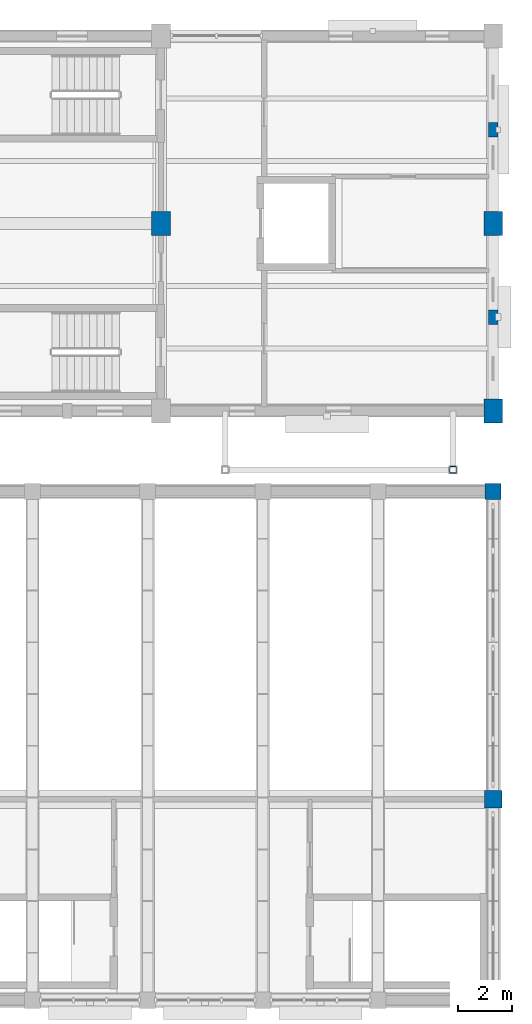
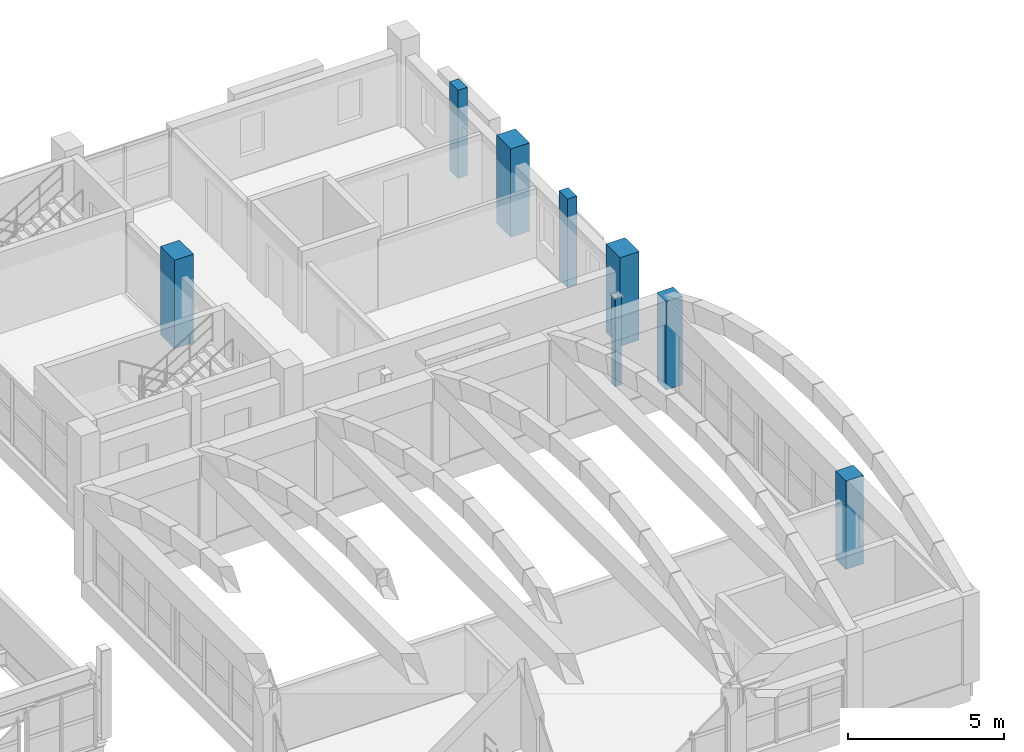
# One storey, part 8 of 77: 8 columns.
"""IFC4 building model written with IfcOpenShell, lengths in metres."""

from ifc_helpers import new_model, si_unit, direction, frame, origin, origin_2d, place, context, subcontext, project, spatial, rectangle, hollow_rectangle, extrude, material, material_profile, profile_set, type_object, element, save


model = new_model("IFC4")

# Units and contexts
model_context = context("Model", 3, precision=1e-05, world=origin(), true_north=direction((0.0, 1.0)))
body_context = subcontext(model_context, "Body", "Model", "MODEL_VIEW")
ifc_project = project(units=[si_unit("LENGTHUNIT", "METRE"), si_unit("AREAUNIT", "SQUARE_METRE"), si_unit("VOLUMEUNIT", "CUBIC_METRE"), si_unit("PLANEANGLEUNIT", "RADIAN"), si_unit("MASSUNIT", "GRAM", prefix="KILO")], contexts=[model_context])

# Site, building, storey
site_placement = place(None, origin())
site = spatial("IfcSite", under=ifc_project, at=site_placement, CompositionType="ELEMENT")
building_placement = place(site_placement, origin())
building = spatial("IfcBuilding", under=site, at=building_placement, Name="Trellovar Central Fire Station", CompositionType="ELEMENT")
storey_placement = place(building_placement, frame((0.0, 0.0, 5.85009765625)))
storey = spatial("IfcBuildingStorey", under=building, at=storey_placement, Name="L02", CompositionType="ELEMENT", Elevation=5.85009765625)

# Columns
ifc_material_1 = material(Name="Concrete C40/50", Category="concrete")
ifc_material_profile_1 = material_profile(ifc_material_1, rectangle(XDim=0.699951171875, YDim=0.89990234375, at=origin_2d()), Name="RC700X900")
ifc_profile_set_1 = profile_set([ifc_material_profile_1], Name="Concrete C40/50")
column_type_1 = type_object("IfcColumnType", Name="COL-C3", PredefinedType="COLUMN", material=ifc_profile_set_1)
for number, where, z_axis, x_axis, name in (
    (1, (148.60009765625, 66.0, 0.0), (0.0, 0.0, 1.0), (1.0, 0.0, 0.0), "L02 column C-3"),
    (2, (161.0, 59.0, 0.0), (0.0, 0.0, 1.0), (1.0, 0.0, 0.0), "L02 column C-3"),
    (3, (161.0, 66.0, 0.0), (0.0, 0.0, 1.0), (1.0, 0.0, 0.0), "L02 column C-3"),
):
    element("IfcColumn", number, at=place(storey_placement, frame(where, z_axis=z_axis, x_axis=x_axis)), inside=storey, type_object=column_type_1, Name=name, PredefinedType="COLUMN", context=body_context, shape_type="SweptSolid", body=[
        extrude(rectangle(XDim=0.699951171875, YDim=0.89990234375, at=origin_2d()), origin(), (0.0, 0.0, 1.0), 3.449951171875),
    ])
ifc_material_2 = material(Name="Concrete C40/50", Category="concrete")
ifc_material_profile_2 = material_profile(ifc_material_2, rectangle(XDim=0.64990234375, YDim=0.64990234375, at=origin_2d()), Name="RC650X650")
ifc_profile_set_2 = profile_set([ifc_material_profile_2], Name="Concrete C40/50")
column_type_2 = type_object("IfcColumnType", Name="COL-C5", PredefinedType="COLUMN", material=ifc_profile_set_2)
column_1_placement = place(storey_placement, frame((161.0, 44.5, 0.0), z_axis=(0.0, 0.0, 1.0), x_axis=(1.0, 0.0, 0.0)))
element("IfcColumn", 4, at=column_1_placement, inside=storey, type_object=column_type_2, Name="L02 column C-5", PredefinedType="COLUMN", context=body_context, shape_type="SweptSolid", body=[
    extrude(rectangle(XDim=0.64990234375, YDim=0.64990234375, at=origin_2d()), origin(), (0.0, 0.0, 1.0), 3.449951171875),
])
ifc_material_3 = material(Name="Concrete C40/50", Category="concrete")
ifc_material_profile_3 = material_profile(ifc_material_3, rectangle(XDim=0.60009765625, YDim=0.60009765625, at=origin_2d()), Name="RC600X600")
ifc_profile_set_3 = profile_set([ifc_material_profile_3], Name="Concrete C40/50")
column_type_3 = type_object("IfcColumnType", Name="COL-C6", PredefinedType="COLUMN", material=ifc_profile_set_3)
column_2_placement = place(storey_placement, frame((161.0, 56.0, 0.0), z_axis=(0.0, 0.0, 1.0), x_axis=(1.0, 0.0, 0.0)))
element("IfcColumn", 5, at=column_2_placement, inside=storey, type_object=column_type_3, Name="L02 column C-6", PredefinedType="COLUMN", context=body_context, shape_type="SweptSolid", body=[
    extrude(rectangle(XDim=0.60009765625, YDim=0.60009765625, at=origin_2d()), origin(), (0.0, 0.0, 1.0), 3.449951171875),
])
ifc_material_4 = material(Name="Concrete C40/50", Category="concrete")
ifc_material_profile_4 = material_profile(ifc_material_4, rectangle(XDim=0.35009765625, YDim=0.550048828125, at=origin_2d()), Name="RC350X550")
ifc_profile_set_4 = profile_set([ifc_material_profile_4], Name="Concrete C40/50")
column_type_4 = type_object("IfcColumnType", Name="COL-PIL2", PredefinedType="PILASTER", material=ifc_profile_set_4)
for number, where, z_axis, x_axis, name in (
    (6, (161.0, 62.5, 0.0), (0.0, 0.0, 1.0), (1.0, 0.0, 0.0), "V2 drill tower vertical buttress fin L02-2"),
    (7, (161.0, 69.5, 0.0), (0.0, 0.0, 1.0), (1.0, 0.0, 0.0), "V2 drill tower vertical buttress fin L02-3"),
):
    element("IfcColumn", number, at=place(storey_placement, frame(where, z_axis=z_axis, x_axis=x_axis)), inside=storey, type_object=column_type_4, Name=name, PredefinedType="PILASTER", context=body_context, shape_type="SweptSolid", body=[
        extrude(rectangle(XDim=0.35009765625, YDim=0.550048828125, at=origin_2d()), origin(), (0.0, 0.0, 1.0), 3.449951171875),
    ])
ifc_material_5 = material(Name="Steel ASTM A500 Grade C", Category="steel")
ifc_material_profile_5 = material_profile(ifc_material_5, hollow_rectangle(XDim=0.25390625, YDim=0.25390625, WallThickness=0.01171875, InnerFilletRadius=0.01171875, OuterFilletRadius=0.023681640625, at=origin_2d()), Name="HSS10X10X1/2")
ifc_profile_set_5 = profile_set([ifc_material_profile_5], Name="Steel ASTM A500 Grade C")
column_type_5 = type_object("IfcColumnType", Name="COL-SC4", PredefinedType="COLUMN", material=ifc_profile_set_5)
column_3_placement = place(storey_placement, frame((159.5, 56.800048828125, 0.0), z_axis=(0.0, 0.0, 1.0), x_axis=(1.0, 0.0, 0.0)))
element("IfcColumn", 8, at=column_3_placement, inside=storey, type_object=column_type_5, Name="V2 L02 training balcony support post", PredefinedType="COLUMN", context=body_context, shape_type="SweptSolid", body=[
    extrude(hollow_rectangle(XDim=0.25390625, YDim=0.25390625, WallThickness=0.01171875, InnerFilletRadius=0.01171875, OuterFilletRadius=0.023681640625, at=origin_2d()), origin(), (0.0, 0.0, 1.0), 3.449951171875),
])

save(model, "model.ifc")
